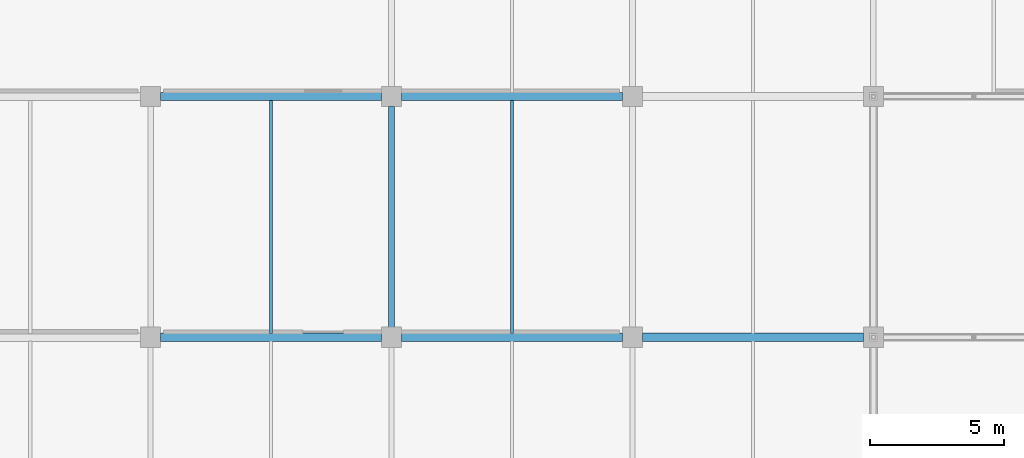
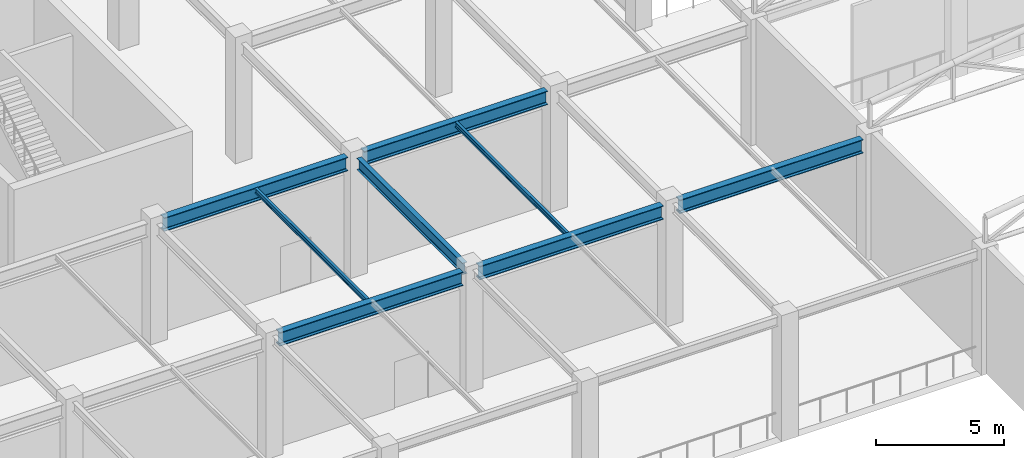
# One storey, part 55 of 223: 8 beams.
"""IFC4 building model written with IfcOpenShell, lengths in metres."""

from ifc_helpers import new_model, si_unit, direction, frame, origin, origin_2d, place, context, subcontext, project, spatial, i_section, extrude, material, material_profile, profile_set, type_object, element, save


model = new_model("IFC4")

# Units and contexts
model_context = context("Model", 3, precision=1e-05, world=origin(), true_north=direction((0.0, 1.0)))
body_context = subcontext(model_context, "Body", "Model", "MODEL_VIEW")
ifc_project = project(units=[si_unit("LENGTHUNIT", "METRE"), si_unit("AREAUNIT", "SQUARE_METRE"), si_unit("VOLUMEUNIT", "CUBIC_METRE"), si_unit("PLANEANGLEUNIT", "RADIAN"), si_unit("MASSUNIT", "GRAM", prefix="KILO")], contexts=[model_context])

# Site, building, storey
site_placement = place(None, origin())
site = spatial("IfcSite", under=ifc_project, at=site_placement, CompositionType="ELEMENT")
building_placement = place(site_placement, origin())
building = spatial("IfcBuilding", under=site, at=building_placement, Name="Dornveld Trade and Exhibition Forum", CompositionType="ELEMENT")
storey_placement = place(building_placement, frame((0.0, 0.0, 6.0)))
storey = spatial("IfcBuildingStorey", under=building, at=storey_placement, Name="L01", CompositionType="ELEMENT", Elevation=6.0)

# Beams
ifc_material_1 = material(Name="Steel S355J2", Category="steel")
ifc_material_profile_1 = material_profile(ifc_material_1, i_section(OverallWidth=0.300048828125, OverallDepth=0.64990234375, WebThickness=0.01611328125, FlangeThickness=0.031005859375, FilletRadius=0.027099609375, at=origin_2d()), Name="HEB 650")
ifc_profile_set_1 = profile_set([ifc_material_profile_1], Name="Steel S355J2")
beam_type_1 = type_object("IfcBeamType", Name="BM-GIR-HEB650", PredefinedType="USERDEFINED", material=ifc_profile_set_1)
for number, where, z_axis, x_axis, name in (
    (1, (126.37109375, 36.0, 5.31494140625), (1.0, 0.0, 0.0), (0.0, 1.0, 0.0), "L01 X-girder 1155"),
    (2, (135.37109375, 36.0, 5.31494140625), (1.0, 0.0, 0.0), (0.0, 1.0, 0.0), "L01 X-girder 1156"),
    (3, (144.37109375, 36.0, 5.31494140625), (1.0, 0.0, 0.0), (0.0, 1.0, 0.0), "L01 X-girder 1157"),
    (4, (126.37109375, 45.0, 5.31494140625), (1.0, 0.0, 0.0), (0.0, 1.0, 0.0), "L01 X-girder 1163"),
    (5, (135.37109375, 45.0, 5.31494140625), (1.0, 0.0, 0.0), (0.0, 1.0, 0.0), "L01 X-girder 1164"),
):
    element("IfcBeam", number, at=place(storey_placement, frame(where, z_axis=z_axis, x_axis=x_axis)), inside=storey, type_object=beam_type_1, Name=name, ObjectType="GIRDER", PredefinedType="USERDEFINED", context=body_context, shape_type="SweptSolid", body=[
        extrude(i_section(OverallWidth=0.300048828125, OverallDepth=0.64990234375, WebThickness=0.01611328125, FlangeThickness=0.031005859375, FilletRadius=0.027099609375, at=origin_2d()), origin(), (0.0, 0.0, 1.0), 8.2578125),
    ])
ifc_material_2 = material(Name="Steel S355J2", Category="steel")
ifc_material_profile_2 = material_profile(ifc_material_2, i_section(OverallWidth=0.1201171875, OverallDepth=0.239990234375, WebThickness=0.006103515625, FlangeThickness=0.009765625, FilletRadius=0.014892578125, at=origin_2d()), Name="IPE 240")
ifc_profile_set_2 = profile_set([ifc_material_profile_2], Name="Steel S355J2")
beam_type_2 = type_object("IfcBeamType", Name="BM-JOIST-240", PredefinedType="JOIST", material=ifc_profile_set_2)
for number, where, z_axis, x_axis, name in (
    (6, (130.5, 36.14697265625, 5.52001953125), (0.0, 1.0, 0.0), (-1.0, 0.0, 0.0), "L01 secondary joist 1267"),
    (7, (139.5, 36.14697265625, 5.52001953125), (0.0, 1.0, 0.0), (-1.0, 0.0, 0.0), "L01 secondary joist 1268"),
):
    element("IfcBeam", number, at=place(storey_placement, frame(where, z_axis=z_axis, x_axis=x_axis)), inside=storey, type_object=beam_type_2, Name=name, PredefinedType="JOIST", context=body_context, shape_type="SweptSolid", body=[
        extrude(i_section(OverallWidth=0.1201171875, OverallDepth=0.239990234375, WebThickness=0.006103515625, FlangeThickness=0.009765625, FilletRadius=0.014892578125, at=origin_2d()), origin(), (0.0, 0.0, 1.0), 8.7060546875),
    ])
ifc_material_3 = material(Name="Steel S355J2", Category="steel")
ifc_material_profile_3 = material_profile(ifc_material_3, i_section(OverallWidth=0.2099609375, OverallDepth=0.550048828125, WebThickness=0.010986328125, FlangeThickness=0.01708984375, FilletRadius=0.02392578125, at=origin_2d()), Name="IPE 550")
ifc_profile_set_3 = profile_set([ifc_material_profile_3], Name="Steel S355J2")
beam_type_3 = type_object("IfcBeamType", Name="BM-SEC-550", PredefinedType="BEAM", material=ifc_profile_set_3)
beam_placement = place(storey_placement, frame((135.0, 36.37109375, 5.364990234375), z_axis=(0.0, 1.0, 0.0), x_axis=(-1.0, 0.0, 0.0)))
element("IfcBeam", 8, at=beam_placement, inside=storey, type_object=beam_type_3, Name="L01 Y-girder 1230", PredefinedType="BEAM", context=body_context, shape_type="SweptSolid", body=[
    extrude(i_section(OverallWidth=0.2099609375, OverallDepth=0.550048828125, WebThickness=0.010986328125, FlangeThickness=0.01708984375, FilletRadius=0.02392578125, at=origin_2d()), origin(), (0.0, 0.0, 1.0), 8.2578125),
])

save(model, "model.ifc")
